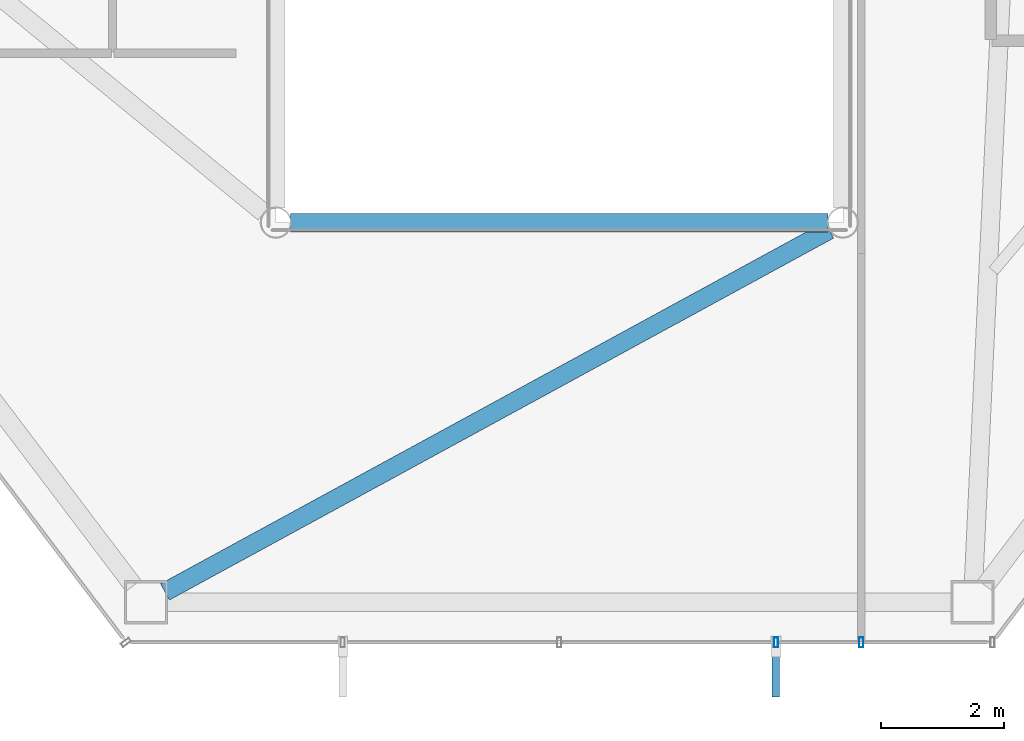
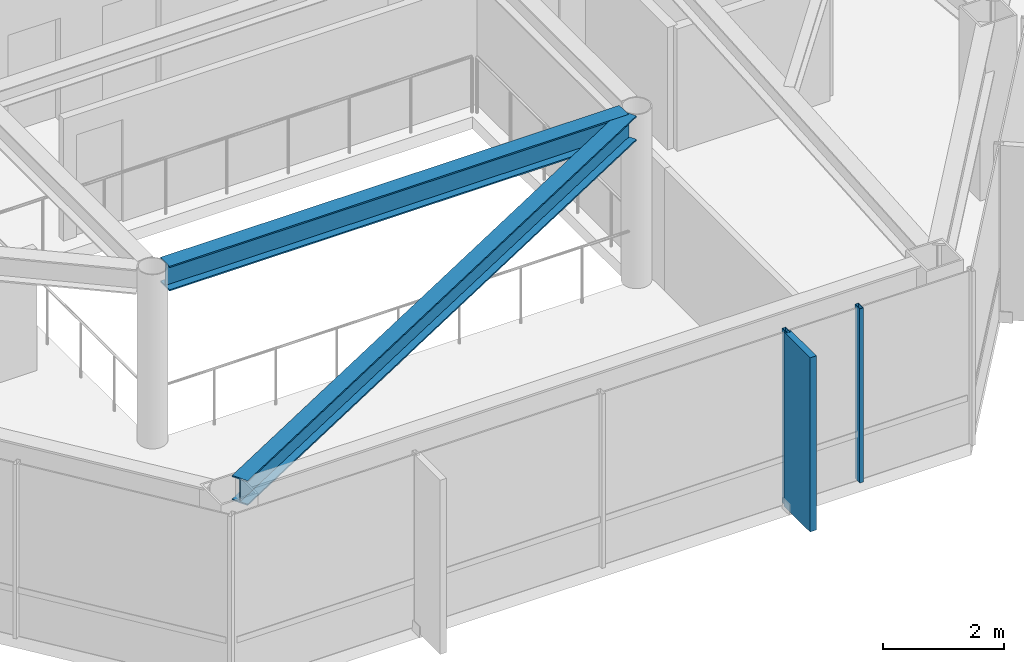
# One storey, part 6 of 28: 3 members, 2 beams, 1 element without a shape of its own.
"""IFC4 building model written with IfcOpenShell, lengths in metres."""

from ifc_helpers import new_model, si_unit, direction, frame, origin, origin_2d, place, context, subcontext, project, spatial, rectangle, hollow_rectangle, i_section, extrude, material, layer, layer_set, material_profile, profile_set, type_object, element, aggregate, save


model = new_model("IFC4")

# Units and contexts
model_context = context("Model", 3, precision=1e-05, world=origin(), true_north=direction((0.0, 1.0)))
body_context = subcontext(model_context, "Body", "Model", "MODEL_VIEW")
ifc_project = project(units=[si_unit("LENGTHUNIT", "METRE"), si_unit("AREAUNIT", "SQUARE_METRE"), si_unit("VOLUMEUNIT", "CUBIC_METRE"), si_unit("PLANEANGLEUNIT", "RADIAN"), si_unit("MASSUNIT", "GRAM", prefix="KILO")], contexts=[model_context])

# Site, building, storey
site_placement = place(None, origin())
site = spatial("IfcSite", under=ifc_project, at=site_placement, CompositionType="ELEMENT")
building_placement = place(site_placement, origin())
building = spatial("IfcBuilding", under=site, at=building_placement, Name="Zarrinselat Tower", CompositionType="ELEMENT")
storey_placement = place(building_placement, frame((0.0, 0.0, 187.0)))
storey = spatial("IfcBuildingStorey", under=building, at=storey_placement, Name="L46", CompositionType="ELEMENT", Elevation=187.0)

# Beams
ifc_material_1 = material(Name="Steel S355J2", Category="steel")
ifc_material_profile_1 = material_profile(ifc_material_1, i_section(OverallWidth=0.300048828125, OverallDepth=0.5, WebThickness=0.014404296875, FlangeThickness=0.028076171875, at=origin_2d()), Name="HEB 500")
ifc_profile_set_1 = profile_set([ifc_material_profile_1], Name="Steel S355J2")
beam_type = type_object("IfcBeamType", Name="BM-HEB500", PredefinedType="BEAM", material=ifc_profile_set_1)
beam_1_placement = place(storey_placement, frame((34.0400390625, 24.39990234375, 3.25), z_axis=(1.0, 0.0, 0.0), x_axis=(0.0, 1.0, 0.0)))
element("IfcBeam", 1, at=beam_1_placement, inside=storey, type_object=beam_type, Name="L46 Atrium Edge Beam S", PredefinedType="BEAM", context=body_context, shape_type="SweptSolid", body=[
    extrude(i_section(OverallWidth=0.300048828125, OverallDepth=0.5, WebThickness=0.014404296875, FlangeThickness=0.028076171875, at=origin_2d()), origin(), (0.0, 0.0, 1.0), 8.719970703125),
])
beam_2_placement = place(storey_placement, frame((32.00146484375, 18.40771484375, 3.25), z_axis=(0.878124260861, 0.478432631085, 0.0), x_axis=(-0.478432631085, 0.878124260861, 0.0)))
element("IfcBeam", 2, at=beam_2_placement, inside=storey, type_object=beam_type, Name="L46 Radial Primary Girder RG10", PredefinedType="BEAM", context=body_context, shape_type="SweptSolid", body=[
    extrude(i_section(OverallWidth=0.300048828125, OverallDepth=0.5, WebThickness=0.014404296875, FlangeThickness=0.028076171875, at=origin_2d()), origin(), (0.0, 0.0, 1.0), 12.275146484375),
])

# Curtain wall, members
ifc_material_2 = material(Name="Extruded Aluminium Alloy EN AW-6063 T6", Category="aluminium")
ifc_layer = layer(ifc_material_2, 0.175048828125)
ifc_layer_set = layer_set([ifc_layer], Name="Extruded Aluminium Alloy EN AW-6063 T6")
curtain_wall_type = type_object("IfcCurtainWallType", Name="CWS-HTL", PredefinedType="NOTDEFINED", material=ifc_layer_set)
curtain_wall_placement = place(storey_placement, origin())
curtain_wall = element("IfcCurtainWall", 3, at=curtain_wall_placement, inside=storey, type_object=curtain_wall_type, Name="L46 Unitised Curtain Wall CW-L46-E04", PredefinedType="NOTDEFINED")
ifc_material_3 = material(Name="Extruded Aluminium Alloy EN AW-6063 T6", Category="aluminium")
ifc_material_profile_2 = material_profile(ifc_material_3, hollow_rectangle(XDim=0.070068359375, YDim=0.159912109375, WallThickness=0.00390625, at=origin_2d()), Name="RHS 160x70x4")
ifc_profile_set_2 = profile_set([ifc_material_profile_2], Name="Extruded Aluminium Alloy EN AW-6063 T6")
member_type_1 = type_object("IfcMemberType", Name="MEM-CW-MUL2", PredefinedType="MULLION", material=ifc_profile_set_2)
member_1_placement = place(storey_placement, frame((41.915283203125, 17.58935546875, 0.0), z_axis=(0.0, 0.0, 1.0), x_axis=(1.0, 0.0, 0.0)))
member_1 = element("IfcMember", 4, at=member_1_placement, type_object=member_type_1, Name="CW-L46-E04 Mullion 3", PredefinedType="MULLION", context=body_context, shape_type="SweptSolid", body=[
    extrude(hollow_rectangle(XDim=0.070068359375, YDim=0.159912109375, WallThickness=0.00390625, at=origin_2d()), origin(), (0.0, 0.0, 1.0), 3.5),
])
member_2_placement = place(storey_placement, frame((43.300048828125, 17.58935546875, 0.0), z_axis=(0.0, 0.0, 1.0), x_axis=(1.0, 0.0, 0.0)))
member_2 = element("IfcMember", 5, at=member_2_placement, type_object=member_type_1, Name="CW-L46-E04 Mullion 4", PredefinedType="MULLION", context=body_context, shape_type="SweptSolid", body=[
    extrude(hollow_rectangle(XDim=0.070068359375, YDim=0.159912109375, WallThickness=0.00390625, at=origin_2d()), origin(), (0.0, 0.0, 1.0), 3.5),
])
ifc_material_4 = material(Name="Honed Cream Travertine Stone", Category="masonry")
ifc_material_profile_3 = material_profile(ifc_material_4, rectangle(XDim=0.1201171875, YDim=0.85009765625, at=origin_2d()), Name="FIN 850x120")
ifc_profile_set_3 = profile_set([ifc_material_profile_3], Name="Honed Cream Travertine Stone")
member_type_2 = type_object("IfcMemberType", Name="MEM-STONE-FIN", PredefinedType="USERDEFINED", material=ifc_profile_set_3)
member_3_placement = place(storey_placement, frame((41.915283203125, 17.12939453125, 0.0), z_axis=(0.0, 0.0, 1.0), x_axis=(-1.0, 0.0, 0.0)))
member_3 = element("IfcMember", 6, at=member_3_placement, type_object=member_type_2, Name="L46 Stone Shading Fin CW-L46-E04-03", ObjectType="FIN", PredefinedType="USERDEFINED", context=body_context, shape_type="SweptSolid", body=[
    extrude(rectangle(XDim=0.1201171875, YDim=0.85009765625, at=origin_2d()), origin(), (0.0, 0.0, 1.0), 3.5),
])
aggregate(curtain_wall, [member_1, member_3, member_2])

save(model, "model.ifc")
